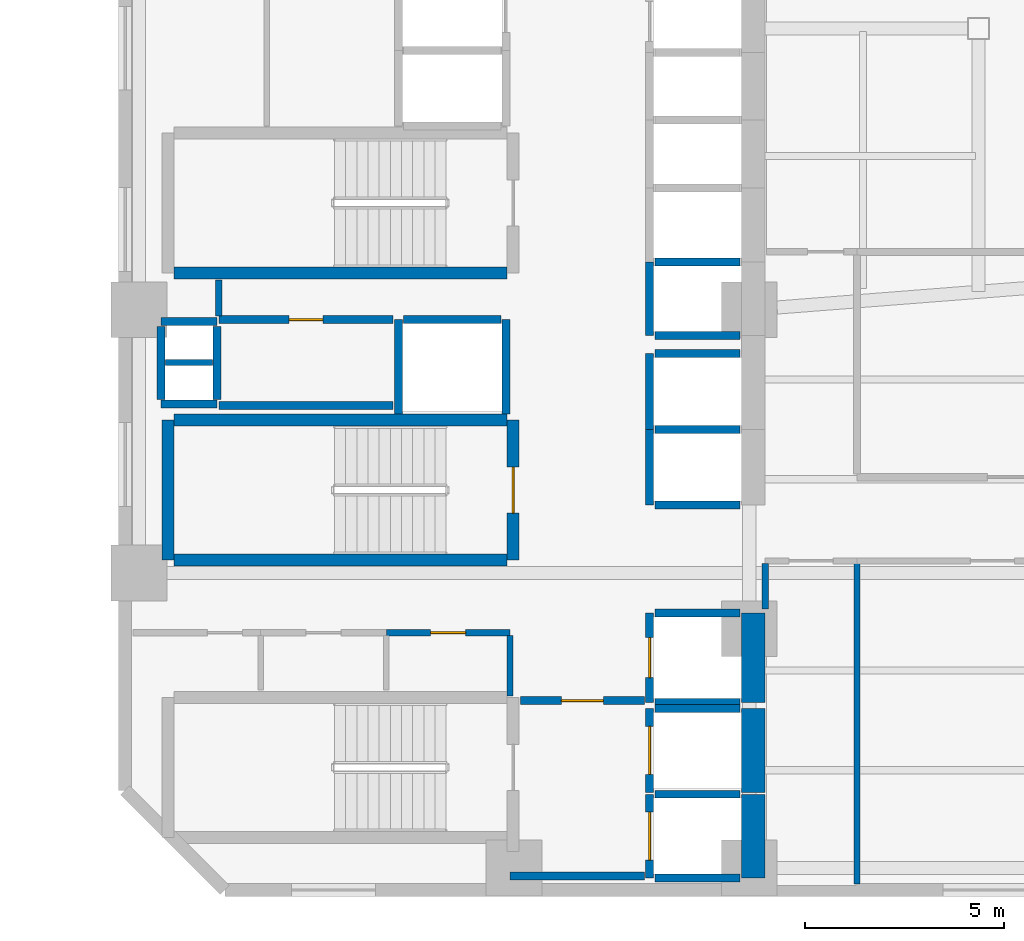
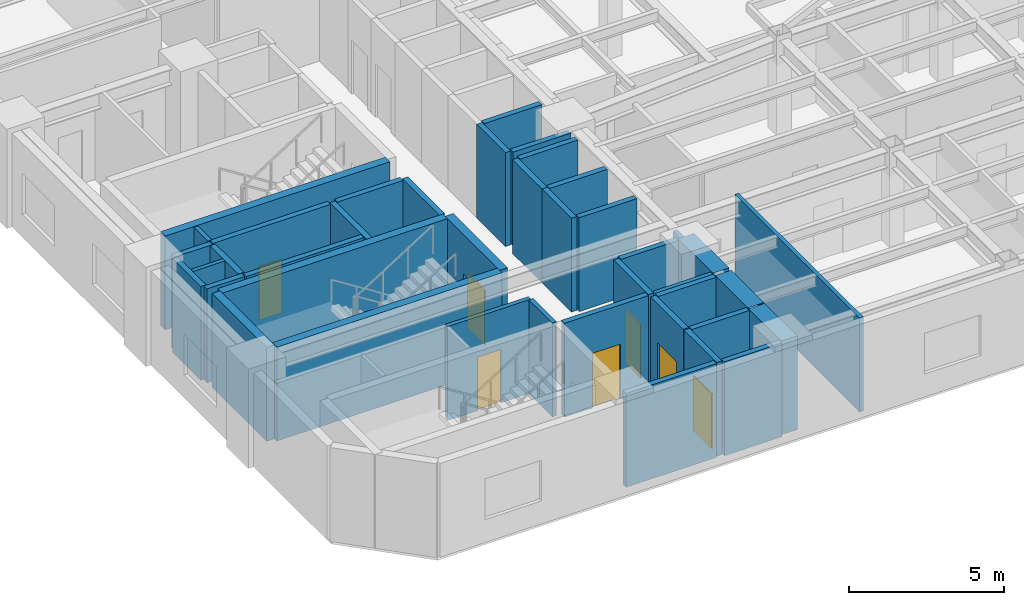
# One storey, part 3 of 10: 41 walls, 7 doors, 7 openings.
"""IFC4 building model written with IfcOpenShell, lengths in metres."""

from ifc_helpers import new_model, si_unit, direction, frame, frame_2d, origin, place, context, subcontext, project, spatial, rectangle, extrude, material, layer, layer_set, type_object, element, fill, save


model = new_model("IFC4")

# Units and contexts
model_context = context("Model", 3, precision=1e-05, world=origin(), true_north=direction((0.0, 1.0)))
body_context = subcontext(model_context, "Body", "Model", "MODEL_VIEW")
ifc_project = project(units=[si_unit("LENGTHUNIT", "METRE"), si_unit("AREAUNIT", "SQUARE_METRE"), si_unit("VOLUMEUNIT", "CUBIC_METRE"), si_unit("PLANEANGLEUNIT", "RADIAN"), si_unit("MASSUNIT", "GRAM", prefix="KILO")], contexts=[model_context])

# Site, building, storey
site_placement = place(None, origin())
site = spatial("IfcSite", under=ifc_project, at=site_placement, CompositionType="ELEMENT")
building_placement = place(site_placement, origin())
building = spatial("IfcBuilding", under=site, at=building_placement, Name="Mawjaban Terraces University", CompositionType="ELEMENT")
storey_placement = place(building_placement, frame((0.0, 0.0, 66.10009765625)))
storey = spatial("IfcBuildingStorey", under=building, at=storey_placement, Name="L15", CompositionType="ELEMENT", Elevation=66.10009765625)

# Walls
ifc_material_1 = material(Name="Concrete C70/85", Category="concrete")
ifc_layer_1 = layer(ifc_material_1, 0.60009765625)
ifc_layer_set_1 = layer_set([ifc_layer_1], Name="Concrete C70/85")
wall_type_1 = type_object("IfcWallType", Name="CoreShearWall_600", PredefinedType="SHEAR", material=ifc_layer_set_1)
wall_1_placement = place(storey_placement, frame((37.75, 0.300048828125, 0.0), z_axis=(0.0, 0.0, 1.0), x_axis=(0.0, 1.0, 0.0)))
element("IfcWall", 1, at=wall_1_placement, inside=storey, type_object=wall_type_1, Name="L15 Lift FL-1 Hoistway Wall East", PredefinedType="SHEAR", context=body_context, shape_type="SweptSolid", body=[
    extrude(rectangle(XDim=2.099853515625, YDim=0.60009765625, at=frame_2d((1.0498046875, 0.0))), origin(), (0.0, 0.0, 1.0), 3.68994140625),
])
wall_2_placement = place(storey_placement, frame((37.75, 2.449951171875, 0.0), z_axis=(0.0, 0.0, 1.0), x_axis=(0.0, 1.0, 0.0)))
element("IfcWall", 2, at=wall_2_placement, inside=storey, type_object=wall_type_1, Name="L15 Lift FL-2 Hoistway Wall East", PredefinedType="SHEAR", context=body_context, shape_type="SweptSolid", body=[
    extrude(rectangle(XDim=2.10009765625, YDim=0.60009765625, at=frame_2d((1.050048828125, 0.0))), origin(), (0.0, 0.0, 1.0), 3.68994140625),
])
wall_3_placement = place(storey_placement, frame((37.75, 4.699951171875, 0.0), z_axis=(0.0, 0.0, 1.0), x_axis=(0.0, 1.0, 0.0)))
element("IfcWall", 3, at=wall_3_placement, inside=storey, type_object=wall_type_1, Name="L15 Lift SL-1 Hoistway Wall East", PredefinedType="SHEAR", context=body_context, shape_type="SweptSolid", body=[
    extrude(rectangle(XDim=2.25, YDim=0.60009765625, at=frame_2d((1.125, 0.0))), origin(), (0.0, 0.0, 1.0), 3.68994140625),
])

# Wall, opening, door
ifc_material_2 = material(Name="Fire-rated gypsum board on steel stud", Category="steel")
ifc_layer_2 = layer(ifc_material_2, 0.159912109375)
ifc_layer_set_2 = layer_set([ifc_layer_2], Name="Fire-rated gypsum board on steel stud")
wall_type_2 = type_object("IfcWallType", Name="CorridorPartition_160", PredefinedType="PARTITIONING", material=ifc_layer_set_2)
wall_4_placement = place(storey_placement, frame((28.550048828125, 6.449951171875, 0.0), z_axis=(0.0, 0.0, 1.0), x_axis=(1.0, 0.0, 0.0)))
wall_4 = element("IfcWall", 4, at=wall_4_placement, inside=storey, type_object=wall_type_2, Name="L15 Core Washroom Lobby Partition 6", PredefinedType="PARTITIONING", context=body_context, shape_type="SweptSolid", body=[
    extrude(rectangle(XDim=3.099853515625, YDim=0.159912109375, at=frame_2d((1.5498046875, 0.0))), origin(), (0.0, 0.0, 1.0), 3.68994140625),
])
opening_1_placement = place(wall_4_placement, frame((1.110107421875, 0.0, 0.0)))
opening_1 = element("IfcOpeningElement", 5, at=opening_1_placement, cuts=wall_4, Name="Opening ID-088", PredefinedType="OPENING", context=body_context, shape_type="SweptSolid", body=[
    extrude(rectangle(XDim=0.8798828125, YDim=2.10009765625, at=frame_2d((0.43994140625, 1.050048828125))), frame((0.0, 0.08984375, 0.0), z_axis=(0.0, -1.0, 0.0), x_axis=(1.0, 0.0, 0.0)), (0.0, 0.0, 1.0), 0.179931640625),
])
ifc_material_3 = material(Name="Powder-coated steel frame and solid acoustic timber leaf", Category="steel")
door_type_1 = type_object("IfcDoorType", Name="ToiletDoor_880x2100", OperationType="NOTDEFINED", PredefinedType="DOOR", material=ifc_material_3)
door_1_placement = place(opening_1_placement, origin())
door_1 = element("IfcDoor", 6, at=door_1_placement, inside=storey, type_object=door_type_1, Name="L15 Accessible Toilet Door", OperationType="SINGLE_SWING_LEFT", OverallHeight=2.10009765625, OverallWidth=0.8798828125, PredefinedType="DOOR", context=body_context, shape_type="SweptSolid", body=[
    extrude(rectangle(XDim=0.8798828125, YDim=2.10009765625, at=frame_2d((0.43994140625, 1.050048828125))), frame((0.0, 0.02490234375, 0.0), z_axis=(0.0, -1.0, 0.0), x_axis=(1.0, 0.0, 0.0)), (0.0, 0.0, 1.0), 0.050048828125),
])
fill(opening_1, door_1)

# Walls
wall_5_placement = place(storey_placement, frame((24.35009765625, 15.2900390625, 0.0), z_axis=(0.0, 0.0, 1.0), x_axis=(0.0, -1.0, 0.0)))
element("IfcWall", 7, at=wall_5_placement, inside=storey, type_object=wall_type_2, Name="L15 Core Riser Access Passage Partition 30", PredefinedType="PARTITIONING", context=body_context, shape_type="SweptSolid", body=[
    extrude(rectangle(XDim=0.89501953125, YDim=0.159912109375, at=frame_2d((0.447509765625, 0.0))), origin(), (0.0, 0.0, 1.0), 3.68994140625),
])
wall_6_placement = place(storey_placement, frame((31.64990234375, 4.860107421875, 0.0), z_axis=(0.0, 0.0, 1.0), x_axis=(0.0, 1.0, 0.0)))
element("IfcWall", 8, at=wall_6_placement, inside=storey, type_object=wall_type_2, Name="L15 Accessible Toilet Partition 39", PredefinedType="PARTITIONING", context=body_context, shape_type="SweptSolid", body=[
    extrude(rectangle(XDim=1.514892578125, YDim=0.159912109375, at=frame_2d((0.75732421875, 0.0))), origin(), (0.0, 0.0, 1.0), 3.68994140625),
])
wall_7_placement = place(storey_placement, frame((38.050048828125, 7.050048828125, 0.0), z_axis=(0.0, 0.0, 1.0), x_axis=(0.0, 1.0, 0.0)))
element("IfcWall", 9, at=wall_7_placement, inside=storey, type_object=wall_type_2, Name="L15 Core Stair and Lift Lobby East Partition 42", PredefinedType="PARTITIONING", context=body_context, shape_type="SweptSolid", body=[
    extrude(rectangle(XDim=1.1318359375, YDim=0.159912109375, at=frame_2d((0.56591796875, 0.0))), origin(), (0.0, 0.0, 1.0), 3.054931640625),
])

# Wall, opening, door
ifc_material_4 = material(Name="Concrete C40/50", Category="concrete")
ifc_layer_3 = layer(ifc_material_4, 0.199951171875)
ifc_layer_set_3 = layer_set([ifc_layer_3], Name="Concrete C40/50")
wall_type_3 = type_object("IfcWallType", Name="FireLobbyWall_200", PredefinedType="SOLIDWALL", material=ifc_layer_set_3)
wall_8_placement = place(storey_placement, frame((35.14990234375, 2.39990234375, 0.0), z_axis=(0.0, 0.0, 1.0), x_axis=(0.0, -1.0, 0.0)))
wall_8 = element("IfcWall", 10, at=wall_8_placement, inside=storey, type_object=wall_type_3, Name="L15 Lift FL-1 Hoistway Wall West", PredefinedType="SOLIDWALL", context=body_context, shape_type="SweptSolid", body=[
    extrude(rectangle(XDim=2.099853515625, YDim=0.199951171875, at=frame_2d((1.0498046875, 0.0))), origin(), (0.0, 0.0, 1.0), 3.68994140625),
])
opening_2_placement = place(wall_8_placement, frame((0.449951171875, 0.0, 0.0)))
opening_2 = element("IfcOpeningElement", 11, at=opening_2_placement, cuts=wall_8, Name="Opening LD-FL-1", PredefinedType="OPENING", context=body_context, shape_type="SweptSolid", body=[
    extrude(rectangle(XDim=1.199951171875, YDim=2.14990234375, at=frame_2d((0.60009765625, 1.074951171875))), frame((0.0, 0.10986328125, 0.0), z_axis=(0.0, -1.0, 0.0), x_axis=(1.0, 0.0, 0.0)), (0.0, 0.0, 1.0), 0.219970703125),
])
ifc_material_5 = material(Name="Powder-coated steel frame and fire-rated steel-faced leaf", Category="steel")
door_type_2 = type_object("IfcDoorType", Name="LiftLandingFSAE_1200x2150", OperationType="NOTDEFINED", PredefinedType="DOOR", material=ifc_material_5)
door_2_placement = place(opening_2_placement, origin())
door_2 = element("IfcDoor", 12, at=door_2_placement, inside=storey, type_object=door_type_2, Name="L15 Lift FL-1 Sliding Landing Door", OperationType="DOUBLE_DOOR_SLIDING", OverallHeight=2.14990234375, OverallWidth=1.199951171875, PredefinedType="DOOR", context=body_context, shape_type="SweptSolid", body=[
    extrude(rectangle(XDim=1.199951171875, YDim=2.14990234375, at=frame_2d((0.60009765625, 1.074951171875))), frame((0.0, 0.02490234375, 0.0), z_axis=(0.0, -1.0, 0.0), x_axis=(1.0, 0.0, 0.0)), (0.0, 0.0, 1.0), 0.050048828125),
])
fill(opening_2, door_2)

# Walls
for number, where, z_axis, x_axis, name in (
    (13, (35.280029296875, 0.300048828125, 0.0), (0.0, 0.0, 1.0), (1.0, 0.0, 0.0), "L15 Lift FL-1 Hoistway Wall South"),
    (14, (37.419921875, 2.39990234375, 0.0), (0.0, 0.0, 1.0), (-1.0, 0.0, 0.0), "L15 Lift FL-1 Hoistway Wall North"),
):
    element("IfcWall", number, at=place(storey_placement, frame(where, z_axis=z_axis, x_axis=x_axis)), inside=storey, type_object=wall_type_3, Name=name, PredefinedType="SOLIDWALL", context=body_context, shape_type="SweptSolid", body=[
        extrude(rectangle(XDim=2.139892578125, YDim=0.199951171875, at=frame_2d((1.06982421875, 0.0))), origin(), (0.0, 0.0, 1.0), 3.68994140625),
    ])

# Wall, opening, door
wall_9_placement = place(storey_placement, frame((35.14990234375, 4.550048828125, 0.0), z_axis=(0.0, 0.0, 1.0), x_axis=(0.0, -1.0, 0.0)))
wall_9 = element("IfcWall", 15, at=wall_9_placement, inside=storey, type_object=wall_type_3, Name="L15 Lift FL-2 Hoistway Wall West", PredefinedType="SOLIDWALL", context=body_context, shape_type="SweptSolid", body=[
    extrude(rectangle(XDim=2.10009765625, YDim=0.199951171875, at=frame_2d((1.050048828125, 0.0))), origin(), (0.0, 0.0, 1.0), 3.68994140625),
])
opening_3_placement = place(wall_9_placement, frame((0.449951171875, 0.0, 0.0)))
opening_3 = element("IfcOpeningElement", 16, at=opening_3_placement, cuts=wall_9, Name="Opening LD-FL-2", PredefinedType="OPENING", context=body_context, shape_type="SweptSolid", body=[
    extrude(rectangle(XDim=1.199951171875, YDim=2.14990234375, at=frame_2d((0.60009765625, 1.074951171875))), frame((0.0, 0.10986328125, 0.0), z_axis=(0.0, -1.0, 0.0), x_axis=(1.0, 0.0, 0.0)), (0.0, 0.0, 1.0), 0.219970703125),
])
door_3_placement = place(opening_3_placement, origin())
door_3 = element("IfcDoor", 17, at=door_3_placement, inside=storey, type_object=door_type_2, Name="L15 Lift FL-2 Sliding Landing Door", OperationType="DOUBLE_DOOR_SLIDING", OverallHeight=2.14990234375, OverallWidth=1.199951171875, PredefinedType="DOOR", context=body_context, shape_type="SweptSolid", body=[
    extrude(rectangle(XDim=1.199951171875, YDim=2.14990234375, at=frame_2d((0.60009765625, 1.074951171875))), frame((0.0, 0.02490234375, 0.0), z_axis=(0.0, -1.0, 0.0), x_axis=(1.0, 0.0, 0.0)), (0.0, 0.0, 1.0), 0.050048828125),
])
fill(opening_3, door_3)

# Wall
wall_10_placement = place(storey_placement, frame((37.419921875, 4.550048828125, 0.0), z_axis=(0.0, 0.0, 1.0), x_axis=(-1.0, 0.0, 0.0)))
element("IfcWall", 18, at=wall_10_placement, inside=storey, type_object=wall_type_3, Name="L15 Lift FL-2 Hoistway Wall North", PredefinedType="SOLIDWALL", context=body_context, shape_type="SweptSolid", body=[
    extrude(rectangle(XDim=2.139892578125, YDim=0.199951171875, at=frame_2d((1.06982421875, 0.0))), origin(), (0.0, 0.0, 1.0), 3.68994140625),
])

# Wall, opening, door
wall_11_placement = place(storey_placement, frame((35.14990234375, 6.949951171875, 0.0), z_axis=(0.0, 0.0, 1.0), x_axis=(0.0, -1.0, 0.0)))
wall_11 = element("IfcWall", 19, at=wall_11_placement, inside=storey, type_object=wall_type_3, Name="L15 Lift SL-1 Hoistway Wall West", PredefinedType="SOLIDWALL", context=body_context, shape_type="SweptSolid", body=[
    extrude(rectangle(XDim=2.25, YDim=0.199951171875, at=frame_2d((1.125, 0.0))), origin(), (0.0, 0.0, 1.0), 3.68994140625),
])
opening_4_placement = place(wall_11_placement, frame((0.625, 0.0, 0.0)))
opening_4 = element("IfcOpeningElement", 20, at=opening_4_placement, cuts=wall_11, Name="Opening LD-SL-1", PredefinedType="OPENING", context=body_context, shape_type="SweptSolid", body=[
    extrude(rectangle(XDim=1.0, YDim=2.10009765625, at=frame_2d((0.5, 1.050048828125))), frame((0.0, 0.10986328125, 0.0), z_axis=(0.0, -1.0, 0.0), x_axis=(1.0, 0.0, 0.0)), (0.0, 0.0, 1.0), 0.219970703125),
])
door_type_3 = type_object("IfcDoorType", Name="LiftLandingSliding_1000x2100", OperationType="NOTDEFINED", PredefinedType="DOOR", material=ifc_material_5)
door_4_placement = place(opening_4_placement, origin())
door_4 = element("IfcDoor", 21, at=door_4_placement, inside=storey, type_object=door_type_3, Name="L15 Lift SL-1 Sliding Landing Door", OperationType="DOUBLE_DOOR_SLIDING", OverallHeight=2.10009765625, OverallWidth=1.0, PredefinedType="DOOR", context=body_context, shape_type="SweptSolid", body=[
    extrude(rectangle(XDim=1.0, YDim=2.10009765625, at=frame_2d((0.5, 1.050048828125))), frame((0.0, 0.02490234375, 0.0), z_axis=(0.0, -1.0, 0.0), x_axis=(1.0, 0.0, 0.0)), (0.0, 0.0, 1.0), 0.050048828125),
])
fill(opening_4, door_4)

# Walls
for number, where, z_axis, x_axis, name in (
    (22, (35.280029296875, 4.699951171875, 0.0), (0.0, 0.0, 1.0), (1.0, 0.0, 0.0), "L15 Lift SL-1 Hoistway Wall South"),
    (23, (37.419921875, 6.949951171875, 0.0), (0.0, 0.0, 1.0), (-1.0, 0.0, 0.0), "L15 Lift SL-1 Hoistway Wall North"),
):
    element("IfcWall", number, at=place(storey_placement, frame(where, z_axis=z_axis, x_axis=x_axis)), inside=storey, type_object=wall_type_3, Name=name, PredefinedType="SOLIDWALL", context=body_context, shape_type="SweptSolid", body=[
        extrude(rectangle(XDim=2.139892578125, YDim=0.199951171875, at=frame_2d((1.06982421875, 0.0))), origin(), (0.0, 0.0, 1.0), 3.68994140625),
    ])
wall_12_placement = place(storey_placement, frame((35.14990234375, 11.550048828125, 0.0), z_axis=(0.0, 0.0, 1.0), x_axis=(0.0, -1.0, 0.0)))
element("IfcWall", 24, at=wall_12_placement, inside=storey, type_object=wall_type_3, Name="L15 Lift PL-H1 Hoistway Wall West", PredefinedType="SOLIDWALL", context=body_context, shape_type="SweptSolid", body=[
    extrude(rectangle(XDim=1.900146484375, YDim=0.199951171875, at=frame_2d((0.9501953125, 0.0))), origin(), (0.0, 0.0, 1.0), 3.68994140625),
])
for number, where, z_axis, x_axis, name in (
    (25, (35.280029296875, 9.64990234375, 0.0), (0.0, 0.0, 1.0), (1.0, 0.0, 0.0), "L15 Lift PL-H1 Hoistway Wall South"),
    (26, (37.419921875, 11.550048828125, 0.0), (0.0, 0.0, 1.0), (-1.0, 0.0, 0.0), "L15 Lift PL-H1 Hoistway Wall North"),
):
    element("IfcWall", number, at=place(storey_placement, frame(where, z_axis=z_axis, x_axis=x_axis)), inside=storey, type_object=wall_type_3, Name=name, PredefinedType="SOLIDWALL", context=body_context, shape_type="SweptSolid", body=[
        extrude(rectangle(XDim=2.139892578125, YDim=0.199951171875, at=frame_2d((1.06982421875, 0.0))), origin(), (0.0, 0.0, 1.0), 3.68994140625),
    ])
wall_13_placement = place(storey_placement, frame((35.14990234375, 13.449951171875, 0.0), z_axis=(0.0, 0.0, 1.0), x_axis=(0.0, -1.0, 0.0)))
element("IfcWall", 27, at=wall_13_placement, inside=storey, type_object=wall_type_3, Name="L15 Lift PL-H2 Hoistway Wall West", PredefinedType="SOLIDWALL", context=body_context, shape_type="SweptSolid", body=[
    extrude(rectangle(XDim=1.89990234375, YDim=0.199951171875, at=frame_2d((0.949951171875, 0.0))), origin(), (0.0, 0.0, 1.0), 3.68994140625),
])
wall_14_placement = place(storey_placement, frame((37.419921875, 13.449951171875, 0.0), z_axis=(0.0, 0.0, 1.0), x_axis=(-1.0, 0.0, 0.0)))
element("IfcWall", 28, at=wall_14_placement, inside=storey, type_object=wall_type_3, Name="L15 Lift PL-H2 Hoistway Wall North", PredefinedType="SOLIDWALL", context=body_context, shape_type="SweptSolid", body=[
    extrude(rectangle(XDim=2.139892578125, YDim=0.199951171875, at=frame_2d((1.06982421875, 0.0))), origin(), (0.0, 0.0, 1.0), 3.68994140625),
])
for number, where, z_axis, x_axis, name in (
    (29, (28.85009765625, 14.300048828125, 0.0), (0.0, 0.0, 1.0), (0.0, -1.0, 0.0), "L15 Lift PL-H3 Hoistway Wall West"),
    (30, (31.550048828125, 11.929931640625, 0.0), (0.0, 0.0, 1.0), (0.0, 1.0, 0.0), "L15 Lift PL-H3 Hoistway Wall East"),
):
    element("IfcWall", number, at=place(storey_placement, frame(where, z_axis=z_axis, x_axis=x_axis)), inside=storey, type_object=wall_type_3, Name=name, PredefinedType="SOLIDWALL", context=body_context, shape_type="SweptSolid", body=[
        extrude(rectangle(XDim=2.3701171875, YDim=0.199951171875, at=frame_2d((1.18505859375, 0.0))), origin(), (0.0, 0.0, 1.0), 3.68994140625),
    ])
wall_15_placement = place(storey_placement, frame((31.419921875, 14.300048828125, 0.0), z_axis=(0.0, 0.0, 1.0), x_axis=(-1.0, 0.0, 0.0)))
element("IfcWall", 31, at=wall_15_placement, inside=storey, type_object=wall_type_3, Name="L15 Lift PL-H3 Hoistway Wall North", PredefinedType="SOLIDWALL", context=body_context, shape_type="SweptSolid", body=[
    extrude(rectangle(XDim=2.43994140625, YDim=0.199951171875, at=frame_2d((1.219970703125, 0.0))), origin(), (0.0, 0.0, 1.0), 3.68994140625),
])
wall_16_placement = place(storey_placement, frame((35.14990234375, 15.75, 0.0), z_axis=(0.0, 0.0, 1.0), x_axis=(0.0, -1.0, 0.0)))
element("IfcWall", 32, at=wall_16_placement, inside=storey, type_object=wall_type_3, Name="L15 Lift OL-1 Hoistway Wall West", PredefinedType="SOLIDWALL", context=body_context, shape_type="SweptSolid", body=[
    extrude(rectangle(XDim=1.85009765625, YDim=0.199951171875, at=frame_2d((0.925048828125, 0.0))), origin(), (0.0, 0.0, 1.0), 3.68994140625),
])
for number, where, z_axis, x_axis, name in (
    (33, (35.280029296875, 13.89990234375, 0.0), (0.0, 0.0, 1.0), (1.0, 0.0, 0.0), "L15 Lift OL-1 Hoistway Wall South"),
    (34, (37.419921875, 15.75, 0.0), (0.0, 0.0, 1.0), (-1.0, 0.0, 0.0), "L15 Lift OL-1 Hoistway Wall North"),
):
    element("IfcWall", number, at=place(storey_placement, frame(where, z_axis=z_axis, x_axis=x_axis)), inside=storey, type_object=wall_type_3, Name=name, PredefinedType="SOLIDWALL", context=body_context, shape_type="SweptSolid", body=[
        extrude(rectangle(XDim=2.139892578125, YDim=0.199951171875, at=frame_2d((1.06982421875, 0.0))), origin(), (0.0, 0.0, 1.0), 3.68994140625),
    ])
for number, where, z_axis, x_axis, name in (
    (35, (22.89990234375, 14.25, 0.0), (0.0, 0.0, 1.0), (1.0, 0.0, 0.0), "L15 MEP Riser Shaft Wall N"),
    (36, (22.89990234375, 12.179931640625, 0.0), (0.0, 0.0, 1.0), (1.0, 0.0, 0.0), "L15 MEP Riser Shaft Wall S"),
):
    element("IfcWall", number, at=place(storey_placement, frame(where, z_axis=z_axis, x_axis=x_axis)), inside=storey, type_object=wall_type_3, Name=name, PredefinedType="SOLIDWALL", context=body_context, shape_type="SweptSolid", body=[
        extrude(rectangle(XDim=1.400146484375, YDim=0.199951171875, at=frame_2d((0.7001953125, 0.0))), origin(), (0.0, 0.0, 1.0), 3.68994140625),
    ])
for number, where, z_axis, x_axis, name in (
    (37, (24.300048828125, 12.300048828125, 0.0), (0.0, 0.0, 1.0), (0.0, 1.0, 0.0), "L15 MEP Riser Shaft Wall E"),
    (38, (22.89990234375, 12.300048828125, 0.0), (0.0, 0.0, 1.0), (0.0, 1.0, 0.0), "L15 MEP Riser Shaft Wall W"),
):
    element("IfcWall", number, at=place(storey_placement, frame(where, z_axis=z_axis, x_axis=x_axis)), inside=storey, type_object=wall_type_3, Name=name, PredefinedType="SOLIDWALL", context=body_context, shape_type="SweptSolid", body=[
        extrude(rectangle(XDim=1.829833984375, YDim=0.199951171875, at=frame_2d((0.9150390625, 0.0))), origin(), (0.0, 0.0, 1.0), 3.68994140625),
    ])
wall_17_placement = place(storey_placement, frame((24.35009765625, 12.14990234375, 0.0), z_axis=(0.0, 0.0, 1.0), x_axis=(1.0, 0.0, 0.0)))
element("IfcWall", 39, at=wall_17_placement, inside=storey, type_object=wall_type_3, Name="L15 IT and Telecoms Riser Room Partition 2", PredefinedType="SOLIDWALL", context=body_context, shape_type="SweptSolid", body=[
    extrude(rectangle(XDim=4.369873046875, YDim=0.199951171875, at=frame_2d((2.18505859375, 0.0))), origin(), (0.0, 0.0, 1.0), 3.68994140625),
])

# Wall, opening, door
wall_18_placement = place(storey_placement, frame((24.35009765625, 14.300048828125, 0.0), z_axis=(0.0, 0.0, 1.0), x_axis=(1.0, 0.0, 0.0)))
wall_18 = element("IfcWall", 40, at=wall_18_placement, inside=storey, type_object=wall_type_3, Name="L15 Core Riser Access Passage Partition 3", PredefinedType="SOLIDWALL", context=body_context, shape_type="SweptSolid", body=[
    extrude(rectangle(XDim=4.369873046875, YDim=0.199951171875, at=frame_2d((2.18505859375, 0.0))), origin(), (0.0, 0.0, 1.0), 3.68994140625),
])
opening_5_placement = place(wall_18_placement, frame((1.760009765625, 0.0, 0.0)))
opening_5 = element("IfcOpeningElement", 41, at=opening_5_placement, cuts=wall_18, Name="Opening FD-085", PredefinedType="OPENING", context=body_context, shape_type="SweptSolid", body=[
    extrude(rectangle(XDim=0.85009765625, YDim=2.10009765625, at=frame_2d((0.425048828125, 1.050048828125))), frame((0.0, 0.10986328125, 0.0), z_axis=(0.0, -1.0, 0.0), x_axis=(1.0, 0.0, 0.0)), (0.0, 0.0, 1.0), 0.219970703125),
])
door_type_4 = type_object("IfcDoorType", Name="FireRiserDoor_850x2100", OperationType="NOTDEFINED", PredefinedType="DOOR", material=ifc_material_5)
door_5_placement = place(opening_5_placement, origin())
door_5 = element("IfcDoor", 42, at=door_5_placement, inside=storey, type_object=door_type_4, Name="L15 IT and Telecoms Riser Room Door", OperationType="SINGLE_SWING_RIGHT", OverallHeight=2.10009765625, OverallWidth=0.85009765625, PredefinedType="DOOR", context=body_context, shape_type="SweptSolid", body=[
    extrude(rectangle(XDim=0.85009765625, YDim=2.10009765625, at=frame_2d((0.425048828125, 1.050048828125))), frame((0.0, 0.02490234375, 0.0), z_axis=(0.0, -1.0, 0.0), x_axis=(1.0, 0.0, 0.0)), (0.0, 0.0, 1.0), 0.050048828125),
])
fill(opening_5, door_5)

# Wall
wall_19_placement = place(storey_placement, frame((31.64990234375, 0.35009765625, 0.0), z_axis=(0.0, 0.0, 1.0), x_axis=(1.0, 0.0, 0.0)))
element("IfcWall", 43, at=wall_19_placement, inside=storey, type_object=wall_type_3, Name="L15 Firefighting Lift Lobby Partition 11", PredefinedType="SOLIDWALL", context=body_context, shape_type="SweptSolid", body=[
    extrude(rectangle(XDim=3.3701171875, YDim=0.199951171875, at=frame_2d((1.68505859375, 0.0))), origin(), (0.0, 0.0, 1.0), 3.68994140625),
])

# Wall, opening, door
wall_20_placement = place(storey_placement, frame((35.02001953125, 4.75, 0.0), z_axis=(0.0, 0.0, 1.0), x_axis=(-1.0, 0.0, 0.0)))
wall_20 = element("IfcWall", 44, at=wall_20_placement, inside=storey, type_object=wall_type_3, Name="L15 Firefighting Lift Lobby Partition 12", PredefinedType="SOLIDWALL", context=body_context, shape_type="SweptSolid", body=[
    extrude(rectangle(XDim=3.110107421875, YDim=0.199951171875, at=frame_2d((1.55517578125, 0.0))), origin(), (0.0, 0.0, 1.0), 3.68994140625),
])
opening_6_placement = place(wall_20_placement, frame((1.030029296875, 0.0, 0.0)))
opening_6 = element("IfcOpeningElement", 45, at=opening_6_placement, cuts=wall_20, Name="Opening FD-105", PredefinedType="OPENING", context=body_context, shape_type="SweptSolid", body=[
    extrude(rectangle(XDim=1.050048828125, YDim=2.14990234375, at=frame_2d((0.52490234375, 1.074951171875))), frame((0.0, 0.10986328125, 0.0), z_axis=(0.0, -1.0, 0.0), x_axis=(1.0, 0.0, 0.0)), (0.0, 0.0, 1.0), 0.219970703125),
])
door_type_5 = type_object("IfcDoorType", Name="FireLobbyDoor_1050x2150", OperationType="NOTDEFINED", PredefinedType="DOOR", material=ifc_material_5)
door_6_placement = place(opening_6_placement, origin())
door_6 = element("IfcDoor", 46, at=door_6_placement, inside=storey, type_object=door_type_5, Name="L15 Firefighting Lift Lobby Door", OperationType="SINGLE_SWING_RIGHT", OverallHeight=2.14990234375, OverallWidth=1.050048828125, PredefinedType="DOOR", context=body_context, shape_type="SweptSolid", body=[
    extrude(rectangle(XDim=1.050048828125, YDim=2.14990234375, at=frame_2d((0.52490234375, 1.074951171875))), frame((0.0, 0.02490234375, 0.0), z_axis=(0.0, -1.0, 0.0), x_axis=(1.0, 0.0, 0.0)), (0.0, 0.0, 1.0), 0.050048828125),
])
fill(opening_6, door_6)

# Walls
ifc_material_6 = material(Name="Moisture-resistant gypsum board on steel stud", Category="steel")
ifc_layer_4 = layer(ifc_material_6, 0.14501953125)
ifc_layer_set_4 = layer_set([ifc_layer_4], Name="Moisture-resistant gypsum board on steel stud")
wall_type_4 = type_object("IfcWallType", Name="LabPartition_145", PredefinedType="PARTITIONING", material=ifc_layer_set_4)
wall_21_placement = place(storey_placement, frame((23.010009765625, 13.22509765625, 0.0), z_axis=(0.0, 0.0, 1.0), x_axis=(1.0, 0.0, 0.0)))
element("IfcWall", 47, at=wall_21_placement, inside=storey, type_object=wall_type_4, Name="L15 MEP Riser Shaft Wall M", PredefinedType="PARTITIONING", context=body_context, shape_type="SweptSolid", body=[
    extrude(rectangle(XDim=1.179931640625, YDim=0.14501953125, at=frame_2d((0.58984375, 0.0))), origin(), (0.0, 0.0, 1.0), 3.68994140625),
])
wall_22_placement = place(storey_placement, frame((40.35009765625, 0.155029296875, 0.0), z_axis=(0.0, 0.0, 1.0), x_axis=(0.0, 1.0, 0.0)))
element("IfcWall", 48, at=wall_22_placement, inside=storey, type_object=wall_type_4, Name="L15 Computational Laboratory 1 Partition 44", PredefinedType="PARTITIONING", context=body_context, shape_type="SweptSolid", body=[
    extrude(rectangle(XDim=8.02685546875, YDim=0.14501953125, at=frame_2d((4.013427734375, 0.0))), origin(), (0.0, 0.0, 1.0), 3.68994140625),
])
ifc_material_7 = material(Name="Concrete C60/75", Category="concrete")
ifc_layer_5 = layer(ifc_material_7, 0.300048828125)
ifc_layer_set_5 = layer_set([ifc_layer_5], Name="Concrete C60/75")
wall_type_5 = type_object("IfcWallType", Name="StairShaftWall_300", PredefinedType="SHEAR", material=ifc_layer_set_5)
for number, where, z_axis, x_axis, name in (
    (49, (23.219970703125, 15.469970703125, 0.0), (0.0, 0.0, 1.0), (1.0, 0.0, 0.0), "L15 ST-2 Stair Shaft Wall 3"),
    (50, (31.580078125, 11.780029296875, 0.0), (0.0, 0.0, 1.0), (-1.0, 0.0, 0.0), "L15 ST-3 Stair Shaft Wall 1"),
):
    element("IfcWall", number, at=place(storey_placement, frame(where, z_axis=z_axis, x_axis=x_axis)), inside=storey, type_object=wall_type_5, Name=name, PredefinedType="SHEAR", context=body_context, shape_type="SweptSolid", body=[
        extrude(rectangle(XDim=8.360107421875, YDim=0.300048828125, at=frame_2d((4.18017578125, 0.0))), origin(), (0.0, 0.0, 1.0), 3.68994140625),
    ])
wall_23_placement = place(storey_placement, frame((23.070068359375, 11.780029296875, 0.0), z_axis=(0.0, 0.0, 1.0), x_axis=(0.0, -1.0, 0.0)))
element("IfcWall", 51, at=wall_23_placement, inside=storey, type_object=wall_type_5, Name="L15 ST-3 Stair Shaft Wall 2", PredefinedType="SHEAR", context=body_context, shape_type="SweptSolid", body=[
    extrude(rectangle(XDim=3.510009765625, YDim=0.300048828125, at=frame_2d((1.7548828125, 0.0))), origin(), (0.0, 0.0, 1.0), 3.68994140625),
])
wall_24_placement = place(storey_placement, frame((23.219970703125, 8.27001953125, 0.0), z_axis=(0.0, 0.0, 1.0), x_axis=(1.0, 0.0, 0.0)))
element("IfcWall", 52, at=wall_24_placement, inside=storey, type_object=wall_type_5, Name="L15 ST-3 Stair Shaft Wall 3", PredefinedType="SHEAR", context=body_context, shape_type="SweptSolid", body=[
    extrude(rectangle(XDim=8.360107421875, YDim=0.300048828125, at=frame_2d((4.18017578125, 0.0))), origin(), (0.0, 0.0, 1.0), 3.68994140625),
])

# Wall, opening, door
wall_25_placement = place(storey_placement, frame((31.72998046875, 8.27001953125, 0.0), z_axis=(0.0, 0.0, 1.0), x_axis=(0.0, 1.0, 0.0)))
wall_25 = element("IfcWall", 53, at=wall_25_placement, inside=storey, type_object=wall_type_5, Name="L15 ST-3 Stair Shaft Wall 4", PredefinedType="SHEAR", context=body_context, shape_type="SweptSolid", body=[
    extrude(rectangle(XDim=3.510009765625, YDim=0.300048828125, at=frame_2d((1.7548828125, 0.0))), origin(), (0.0, 0.0, 1.0), 3.68994140625),
])
opening_7_placement = place(wall_25_placement, frame((1.179931640625, 0.0, 0.0)))
opening_7 = element("IfcOpeningElement", 54, at=opening_7_placement, cuts=wall_25, Name="Opening FD-115", PredefinedType="OPENING", context=body_context, shape_type="SweptSolid", body=[
    extrude(rectangle(XDim=1.14990234375, YDim=2.14990234375, at=frame_2d((0.574951171875, 1.074951171875))), frame((0.0, 0.159912109375, 0.0), z_axis=(0.0, -1.0, 0.0), x_axis=(1.0, 0.0, 0.0)), (0.0, 0.0, 1.0), 0.320068359375),
])
door_type_6 = type_object("IfcDoorType", Name="FireStairDoor_1150x2150", OperationType="NOTDEFINED", PredefinedType="DOOR", material=ifc_material_5)
door_7_placement = place(opening_7_placement, origin())
door_7 = element("IfcDoor", 55, at=door_7_placement, inside=storey, type_object=door_type_6, Name="L15 ST-3 Pressurised Stair Fire Door", OperationType="SINGLE_SWING_LEFT", OverallHeight=2.14990234375, OverallWidth=1.14990234375, PredefinedType="DOOR", context=body_context, shape_type="SweptSolid", body=[
    extrude(rectangle(XDim=1.14990234375, YDim=2.14990234375, at=frame_2d((0.574951171875, 1.074951171875))), frame((0.0, 0.02490234375, 0.0), z_axis=(0.0, -1.0, 0.0), x_axis=(1.0, 0.0, 0.0)), (0.0, 0.0, 1.0), 0.050048828125),
])
fill(opening_7, door_7)

save(model, "model.ifc")
